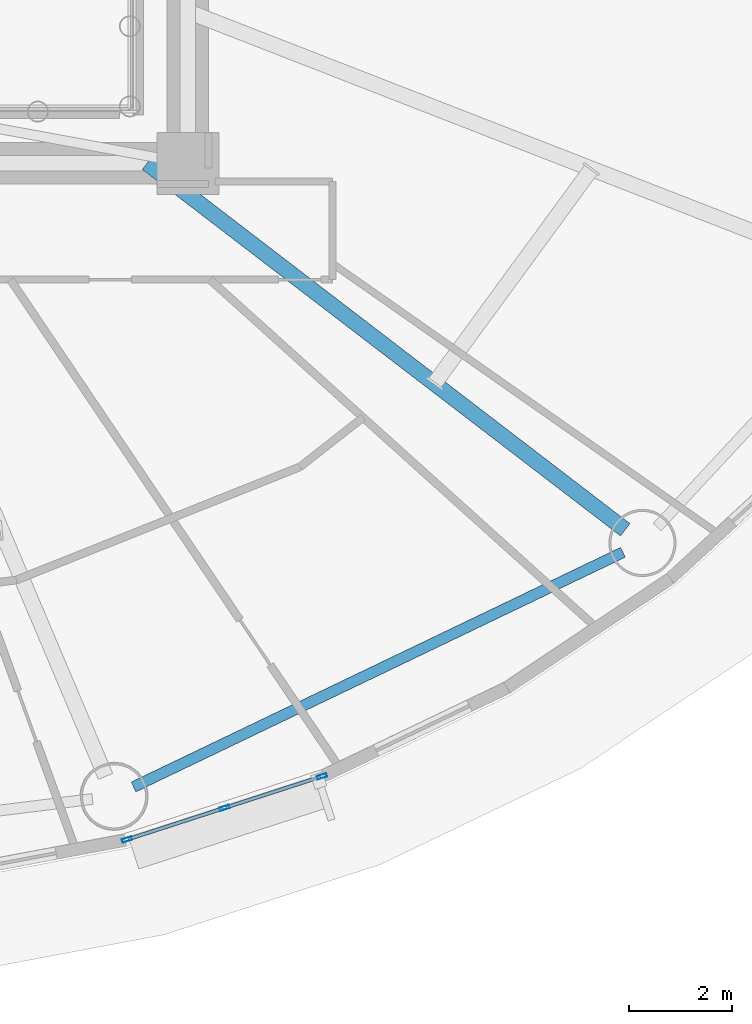
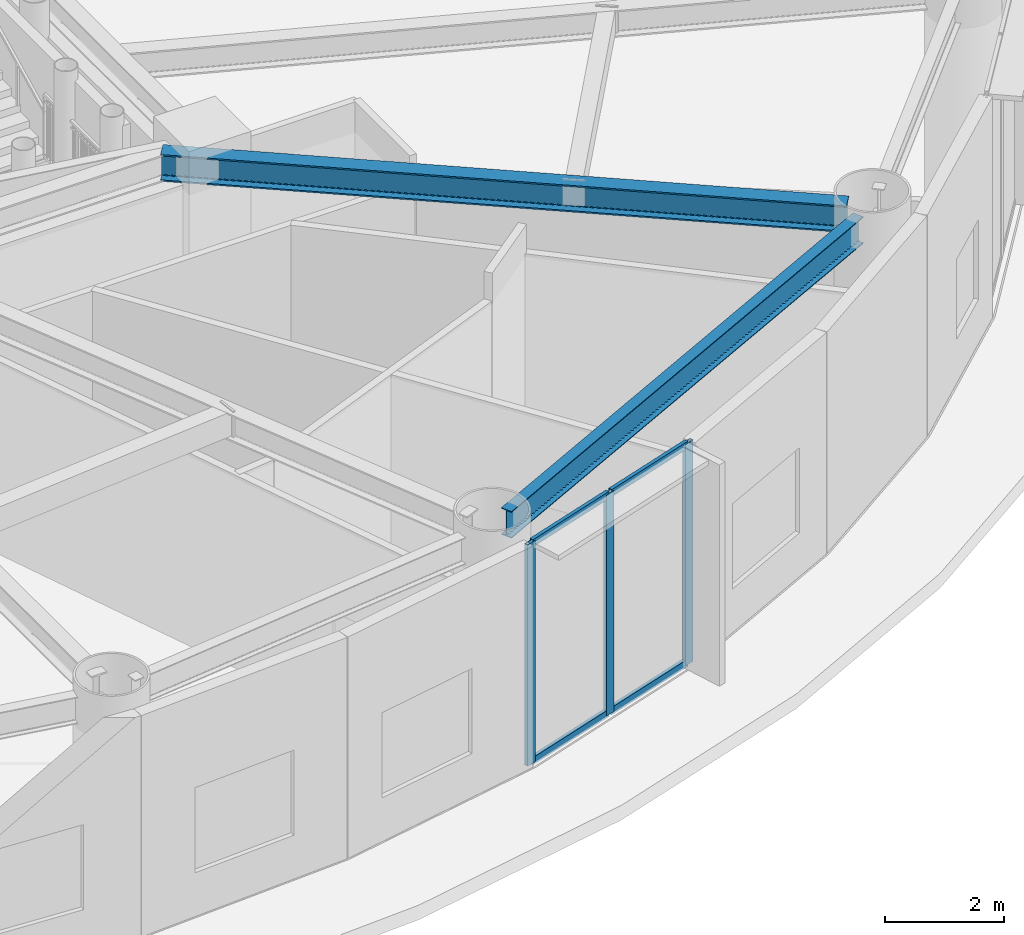
# One storey, part 12 of 38: 7 members, 2 beams, 1 element without a shape of its own.
"""IFC4 building model written with IfcOpenShell, lengths in metres."""

from ifc_helpers import new_model, si_unit, direction, frame, origin, origin_2d, place, context, subcontext, project, spatial, hollow_rectangle, i_section, extrude, source, transform, mapped, material, layer, layer_set, material_profile, profile_set, type_object, element, aggregate, save


model = new_model("IFC4")

# Units and contexts
model_context = context("Model", 3, precision=1e-05, world=origin(), true_north=direction((0.0, 1.0)))
body_context = subcontext(model_context, "Body", "Model", "MODEL_VIEW")
ifc_project = project(units=[si_unit("LENGTHUNIT", "METRE"), si_unit("AREAUNIT", "SQUARE_METRE"), si_unit("VOLUMEUNIT", "CUBIC_METRE"), si_unit("PLANEANGLEUNIT", "RADIAN"), si_unit("MASSUNIT", "GRAM", prefix="KILO")], contexts=[model_context])

# Site, building, storey
site_placement = place(None, origin())
site = spatial("IfcSite", under=ifc_project, at=site_placement, CompositionType="ELEMENT")
building_placement = place(site_placement, origin())
building = spatial("IfcBuilding", under=site, at=building_placement, Name="Linh Dai School and Residence Tower", CompositionType="ELEMENT")
storey_placement = place(building_placement, frame((0.0, 0.0, 151.35009765625)))
storey = spatial("IfcBuildingStorey", under=building, at=storey_placement, Name="L36", CompositionType="ELEMENT", Elevation=151.35009765625)

# Beams
ifc_material_1 = material(Name="Structural Steel S355JR", Category="steel")
ifc_material_profile_1 = material_profile(ifc_material_1, i_section(OverallWidth=0.2099609375, OverallDepth=0.550048828125, WebThickness=0.010986328125, FlangeThickness=0.01708984375, FilletRadius=0.02392578125, at=origin_2d()), Name="IPE 550")
ifc_profile_set_1 = profile_set([ifc_material_profile_1], Name="Structural Steel S355JR")
beam_type_1 = type_object("IfcBeamType", Name="BM-RB55", PredefinedType="BEAM", material=ifc_profile_set_1)
beam_1_placement = place(storey_placement, frame((44.35205078125, 8.340087890625, 4.27490234375), z_axis=(0.901708141823, 0.432345263614, 0.0), x_axis=(-0.432345263614, 0.901708141823, 0.0)))
element("IfcBeam", 1, at=beam_1_placement, inside=storey, type_object=beam_type_1, Name="L36 Perimeter Elliptical Ring Beam 14", PredefinedType="BEAM", context=body_context, shape_type="SweptSolid", body=[
    extrude(i_section(OverallWidth=0.2099609375, OverallDepth=0.550048828125, WebThickness=0.010986328125, FlangeThickness=0.01708984375, FilletRadius=0.02392578125, at=origin_2d()), origin(), (0.0, 0.0, 1.0), 10.4931640625),
])
ifc_material_profile_2 = material_profile(ifc_material_1, i_section(OverallWidth=0.300048828125, OverallDepth=0.550048828125, WebThickness=0.014892578125, FlangeThickness=0.029052734375, FilletRadius=0.027099609375, at=origin_2d()), Name="HEB 550")
ifc_profile_set_2 = profile_set([ifc_material_profile_2], Name="Structural Steel S355JR")
beam_type_2 = type_object("IfcBeamType", Name="BM-RG55", PredefinedType="BEAM", material=ifc_profile_set_2)
beam_2_placement = place(storey_placement, frame((44.6123046875, 20.39990234375, 4.27490234375), z_axis=(0.793732831925, -0.608266546445, 0.0), x_axis=(0.608266546445, 0.793732831925, 0.0)))
element("IfcBeam", 2, at=beam_2_placement, inside=storey, type_object=beam_type_2, Name="L36 Primary Radial Floor Girder 15", PredefinedType="BEAM", context=body_context, shape_type="SweptSolid", body=[
    extrude(i_section(OverallWidth=0.300048828125, OverallDepth=0.550048828125, WebThickness=0.014892578125, FlangeThickness=0.029052734375, FilletRadius=0.027099609375, at=origin_2d()), origin(), (0.0, 0.0, 1.0), 11.64990234375),
])

# Curtain wall, members
ifc_material_2 = material(Name="Aluminium Anodised Curtain Wall", Category="aluminium")
ifc_layer = layer(ifc_material_2, 0.18994140625)
ifc_layer_set = layer_set([ifc_layer], Name="Aluminium Anodised Curtain Wall")
curtain_wall_type = type_object("IfcCurtainWallType", Name="CW-SYS-5", PredefinedType="USERDEFINED", material=ifc_layer_set)
curtain_wall_placement = place(storey_placement, origin())
curtain_wall = element("IfcCurtainWall", 3, at=curtain_wall_placement, inside=storey, type_object=curtain_wall_type, Name="L36 CW5 Curtain Wall 33", ObjectType="UNITISED CURTAIN WALL", PredefinedType="USERDEFINED")
ifc_material_3 = material(Name="Aluminium Alloy 6063-T6", Category="aluminium")
ifc_material_profile_3 = material_profile(ifc_material_3, hollow_rectangle(XDim=0.070068359375, YDim=0.18994140625, WallThickness=0.00390625, at=origin_2d()), Name="RHS 190x70x4")
ifc_profile_set_3 = profile_set([ifc_material_profile_3], Name="Aluminium Alloy 6063-T6")
member_type_1 = type_object("IfcMemberType", Name="CW-SYS-5-MUL", PredefinedType="MULLION", material=ifc_profile_set_3)
shared_shape_1 = source(origin(), body_context, "Body", "SweptSolid", [
    extrude(hollow_rectangle(XDim=0.070068359375, YDim=0.18994140625, WallThickness=0.00390625, at=origin_2d()), origin(), (0.0, 0.0, 1.0), 4.5498046875),
])
member_1_placement = place(storey_placement, frame((47.99658203125, 8.545654296875, 0.0), z_axis=(0.0, 0.0, 1.0), x_axis=(0.308535707031, -0.951212761419, 0.0)))
member_1 = element("IfcMember", 4, at=member_1_placement, type_object=member_type_1, Name="CW5 mullion 1", PredefinedType="MULLION", context=body_context, shape_type="MappedRepresentation", body=[
    mapped(shared_shape_1, transform((0.0, 0.0, 0.0), x_axis=(1.0, 0.0, 0.0), y_axis=(0.0, 1.0, 0.0), z_axis=(0.0, 0.0, 1.0), scale=1.0)),
])
member_2_placement = place(storey_placement, frame((46.109375, 7.93359375, 0.0), z_axis=(0.0, 0.0, 1.0), x_axis=(0.308535707031, -0.951212761419, 0.0)))
member_2 = element("IfcMember", 5, at=member_2_placement, type_object=member_type_1, Name="CW5 mullion 2", PredefinedType="MULLION", context=body_context, shape_type="MappedRepresentation", body=[
    mapped(shared_shape_1, transform((0.0, 0.0, 0.0), x_axis=(1.0, 0.0, 0.0), y_axis=(0.0, 1.0, 0.0), z_axis=(0.0, 0.0, 1.0), scale=1.0)),
])
member_3_placement = place(storey_placement, frame((44.222412109375, 7.321533203125, 0.0), z_axis=(0.0, 0.0, 1.0), x_axis=(0.308535707031, -0.951212761419, 0.0)))
member_3 = element("IfcMember", 6, at=member_3_placement, type_object=member_type_1, Name="CW5 mullion 3", PredefinedType="MULLION", context=body_context, shape_type="MappedRepresentation", body=[
    mapped(shared_shape_1, transform((0.0, 0.0, 0.0), x_axis=(1.0, 0.0, 0.0), y_axis=(0.0, 1.0, 0.0), z_axis=(0.0, 0.0, 1.0), scale=1.0)),
])
ifc_material_profile_4 = material_profile(ifc_material_3, hollow_rectangle(XDim=0.070068359375, YDim=0.14990234375, WallThickness=0.00390625, at=origin_2d()), Name="RHS 150x70x4")
ifc_profile_set_4 = profile_set([ifc_material_profile_4], Name="Aluminium Alloy 6063-T6")
member_type_2 = type_object("IfcMemberType", Name="CW-SYS-5-TRN", PredefinedType="USERDEFINED", material=ifc_profile_set_4)
shared_shape_2 = source(origin(), body_context, "Body", "SweptSolid", [
    extrude(hollow_rectangle(XDim=0.070068359375, YDim=0.14990234375, WallThickness=0.00390625, at=origin_2d()), origin(), (0.0, 0.0, 1.0), 1.913818359375),
])
member_4_placement = place(storey_placement, frame((47.963134765625, 8.534912109375, 0.034912109375), z_axis=(-0.951191447533, -0.308601409815, 0.0), x_axis=(0.308601409815, -0.951191447533, 0.0)))
member_4 = element("IfcMember", 7, at=member_4_placement, type_object=member_type_2, Name="CW5 transom 1.1", ObjectType="TRANSOM", PredefinedType="USERDEFINED", context=body_context, shape_type="MappedRepresentation", body=[
    mapped(shared_shape_2, transform((0.0, 0.0, 0.0), x_axis=(1.0, 0.0, 0.0), y_axis=(0.0, 1.0, 0.0), z_axis=(0.0, 0.0, 1.0), scale=1.0)),
])
member_5_placement = place(storey_placement, frame((47.963134765625, 8.534912109375, 4.514892578125), z_axis=(-0.951191447533, -0.308601409815, 0.0), x_axis=(0.308601409815, -0.951191447533, 0.0)))
member_5 = element("IfcMember", 8, at=member_5_placement, type_object=member_type_2, Name="CW5 transom 1.2", ObjectType="TRANSOM", PredefinedType="USERDEFINED", context=body_context, shape_type="MappedRepresentation", body=[
    mapped(shared_shape_2, transform((0.0, 0.0, 0.0), x_axis=(1.0, 0.0, 0.0), y_axis=(0.0, 1.0, 0.0), z_axis=(0.0, 0.0, 1.0), scale=1.0)),
])
shared_shape_3 = source(origin(), body_context, "Body", "SweptSolid", [
    extrude(hollow_rectangle(XDim=0.070068359375, YDim=0.14990234375, WallThickness=0.00390625, at=origin_2d()), origin(), (0.0, 0.0, 1.0), 1.9140625),
])
member_6_placement = place(storey_placement, frame((46.076171875, 7.9228515625, 0.034912109375), z_axis=(-0.951203594806, -0.308563966184, 0.0), x_axis=(0.308563966184, -0.951203594806, 0.0)))
member_6 = element("IfcMember", 9, at=member_6_placement, type_object=member_type_2, Name="CW5 transom 2.1", ObjectType="TRANSOM", PredefinedType="USERDEFINED", context=body_context, shape_type="MappedRepresentation", body=[
    mapped(shared_shape_3, transform((0.0, 0.0, 0.0), x_axis=(1.0, 0.0, 0.0), y_axis=(0.0, 1.0, 0.0), z_axis=(0.0, 0.0, 1.0), scale=1.0)),
])
member_7_placement = place(storey_placement, frame((46.076171875, 7.9228515625, 4.514892578125), z_axis=(-0.951203594806, -0.308563966184, 0.0), x_axis=(0.308563966184, -0.951203594806, 0.0)))
member_7 = element("IfcMember", 10, at=member_7_placement, type_object=member_type_2, Name="CW5 transom 2.2", ObjectType="TRANSOM", PredefinedType="USERDEFINED", context=body_context, shape_type="MappedRepresentation", body=[
    mapped(shared_shape_3, transform((0.0, 0.0, 0.0), x_axis=(1.0, 0.0, 0.0), y_axis=(0.0, 1.0, 0.0), z_axis=(0.0, 0.0, 1.0), scale=1.0)),
])
aggregate(curtain_wall, [member_1, member_2, member_3, member_4, member_5, member_6, member_7])

save(model, "model.ifc")
